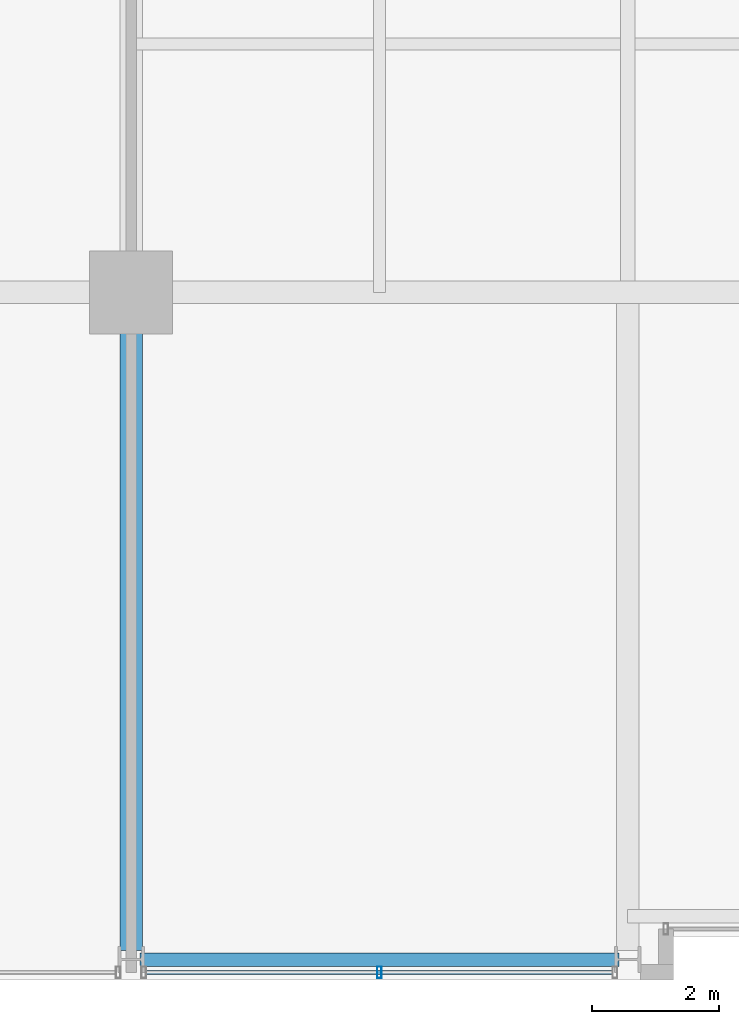
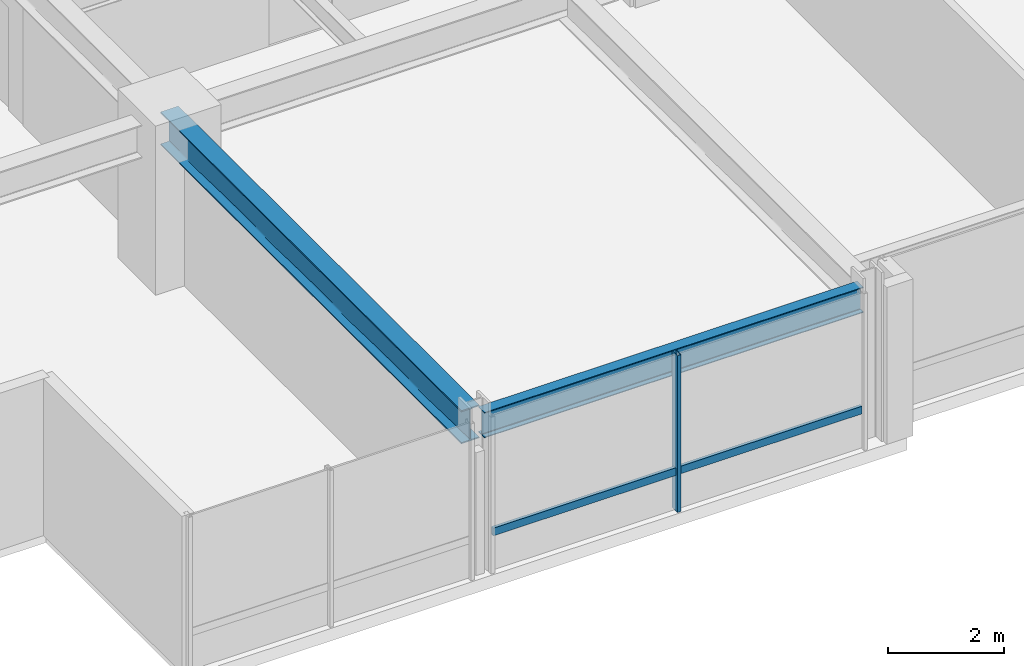
# One storey, part 3 of 32: 2 beams, 2 members, 1 element without a shape of its own.
"""IFC4 building model written with IfcOpenShell, lengths in metres."""

from ifc_helpers import new_model, si_unit, direction, frame, origin, origin_2d, place, context, subcontext, project, spatial, hollow_rectangle, i_section, extrude, material, layer, layer_set, material_profile, profile_set, type_object, element, aggregate, save


model = new_model("IFC4")

# Units and contexts
model_context = context("Model", 3, precision=1e-05, world=origin(), true_north=direction((0.0, 1.0)))
body_context = subcontext(model_context, "Body", "Model", "MODEL_VIEW")
ifc_project = project(units=[si_unit("LENGTHUNIT", "METRE"), si_unit("AREAUNIT", "SQUARE_METRE"), si_unit("VOLUMEUNIT", "CUBIC_METRE"), si_unit("PLANEANGLEUNIT", "RADIAN"), si_unit("MASSUNIT", "GRAM", prefix="KILO")], contexts=[model_context])

# Site, building, storey
site_placement = place(None, origin())
site = spatial("IfcSite", under=ifc_project, at=site_placement, CompositionType="ELEMENT")
building_placement = place(site_placement, origin())
building = spatial("IfcBuilding", under=site, at=building_placement, Name="Drelvath Grand Hotel", CompositionType="ELEMENT")
storey_placement = place(building_placement, frame((0.0, 0.0, 164.60009765625)))
storey = spatial("IfcBuildingStorey", under=building, at=storey_placement, Name="L42", CompositionType="ELEMENT", Elevation=164.60009765625)

# Curtain wall, members
ifc_material_1 = material(Name="Brushed Pale-Silver Anodised Aluminium Frame", Category="aluminium")
ifc_layer = layer(ifc_material_1, 0.199951171875)
ifc_layer_set = layer_set([ifc_layer], Name="Brushed Pale-Silver Anodised Aluminium Frame")
curtain_wall_type = type_object("IfcCurtainWallType", Name="Stick Curtain Wall CW-04 Brushed Silver Upper-Mid", PredefinedType="NOTDEFINED", material=ifc_layer_set)
curtain_wall_placement = place(storey_placement, origin())
curtain_wall = element("IfcCurtainWall", 1, at=curtain_wall_placement, inside=storey, type_object=curtain_wall_type, Name="L42 CW-04 Curtain Wall CW04-L42-SW2", PredefinedType="NOTDEFINED")
ifc_material_profile_1 = material_profile(ifc_material_1, hollow_rectangle(XDim=0.06494140625, YDim=0.159912109375, WallThickness=0.00390625, at=origin_2d()), Name="HSS160X65X4")
ifc_profile_set_1 = profile_set([ifc_material_profile_1], Name="Brushed Pale-Silver Anodised Aluminium Frame")
member_type_1 = type_object("IfcMemberType", Name="Curtain Wall Horizontal Transom CW-04 HSS160X65X4", PredefinedType="USERDEFINED", material=ifc_profile_set_1)
member_1_placement = place(storey_placement, frame((-8.64013671875, 0.1201171875, 0.822509765625), z_axis=(-1.0, 0.0, 0.0), x_axis=(0.0, -1.0, 0.0)))
member_1 = element("IfcMember", 2, at=member_1_placement, type_object=member_type_1, Name="CW04-L42-SW2 Sill Transom", ObjectType="TRANSOM", PredefinedType="USERDEFINED", context=body_context, shape_type="SweptSolid", body=[
    extrude(hollow_rectangle(XDim=0.06494140625, YDim=0.159912109375, WallThickness=0.00390625, at=origin_2d()), origin(), (0.0, 0.0, 1.0), 7.31982421875),
])
ifc_material_profile_2 = material_profile(ifc_material_1, hollow_rectangle(XDim=0.074951171875, YDim=0.179931640625, WallThickness=0.0048828125, at=origin_2d()), Name="HSS180X75X5")
ifc_profile_set_2 = profile_set([ifc_material_profile_2], Name="Brushed Pale-Silver Anodised Aluminium Frame")
member_type_2 = type_object("IfcMemberType", Name="Curtain Wall Vertical Mullion CW-04 HSS180X75X5", PredefinedType="MULLION", material=ifc_profile_set_2)
member_2_placement = place(storey_placement, frame((-12.300048828125, 0.1201171875, 0.0), z_axis=(0.0, 0.0, 1.0), x_axis=(1.0, 0.0, 0.0)))
member_2 = element("IfcMember", 3, at=member_2_placement, type_object=member_type_2, Name="CW04-L42-SW2 Mullion 2", PredefinedType="MULLION", context=body_context, shape_type="SweptSolid", body=[
    extrude(hollow_rectangle(XDim=0.074951171875, YDim=0.179931640625, WallThickness=0.0048828125, at=origin_2d()), origin(), (0.0, 0.0, 1.0), 3.289794921875),
])
aggregate(curtain_wall, [member_2, member_1])

# Beams
ifc_material_2 = material(Name="Steel ASTM A992 Gr 50", Category="steel")
ifc_material_profile_3 = material_profile(ifc_material_2, i_section(OverallWidth=0.210205078125, OverallDepth=0.53662109375, WebThickness=0.010986328125, FlangeThickness=0.017333984375, FilletRadius=0.01806640625, at=origin_2d()), Name="W21X68")
ifc_profile_set_3 = profile_set([ifc_material_profile_3], Name="Steel ASTM A992 Gr 50")
beam_type_1 = type_object("IfcBeamType", Name="Perimeter Spandrel Beam W21X68", PredefinedType="SPANDREL", material=ifc_profile_set_3)
beam_1_placement = place(storey_placement, frame((-16.06005859375, 0.320068359375, 3.021484375), z_axis=(1.0, 0.0, 0.0), x_axis=(0.0, 1.0, 0.0)))
element("IfcBeam", 4, at=beam_1_placement, inside=storey, type_object=beam_type_1, Name="L42 Spandrel South W", PredefinedType="SPANDREL", context=body_context, shape_type="SweptSolid", body=[
    extrude(i_section(OverallWidth=0.210205078125, OverallDepth=0.53662109375, WebThickness=0.010986328125, FlangeThickness=0.017333984375, FilletRadius=0.01806640625, at=origin_2d()), origin(), (0.0, 0.0, 1.0), 7.52001953125),
])
ifc_material_profile_4 = material_profile(ifc_material_2, i_section(OverallWidth=0.354736328125, OverallDepth=0.695556640625, WebThickness=0.015380859375, FlangeThickness=0.025146484375, FilletRadius=0.02392578125, at=origin_2d()), Name="W27X146")
ifc_profile_set_4 = profile_set([ifc_material_profile_4], Name="Steel ASTM A992 Gr 50")
beam_type_2 = type_object("IfcBeamType", Name="Primary Floor Girder W27X146", PredefinedType="BEAM", material=ifc_profile_set_4)
beam_2_placement = place(storey_placement, frame((-16.199951171875, 0.4599609375, 2.942138671875), z_axis=(0.0, 1.0, 0.0), x_axis=(-1.0, 0.0, 0.0)))
element("IfcBeam", 5, at=beam_2_placement, inside=storey, type_object=beam_type_2, Name="L42 South Grid Girder 3", PredefinedType="BEAM", context=body_context, shape_type="SweptSolid", body=[
    extrude(i_section(OverallWidth=0.354736328125, OverallDepth=0.695556640625, WebThickness=0.015380859375, FlangeThickness=0.025146484375, FilletRadius=0.02392578125, at=origin_2d()), origin(), (0.0, 0.0, 1.0), 10.340087890625),
])

save(model, "model.ifc")
